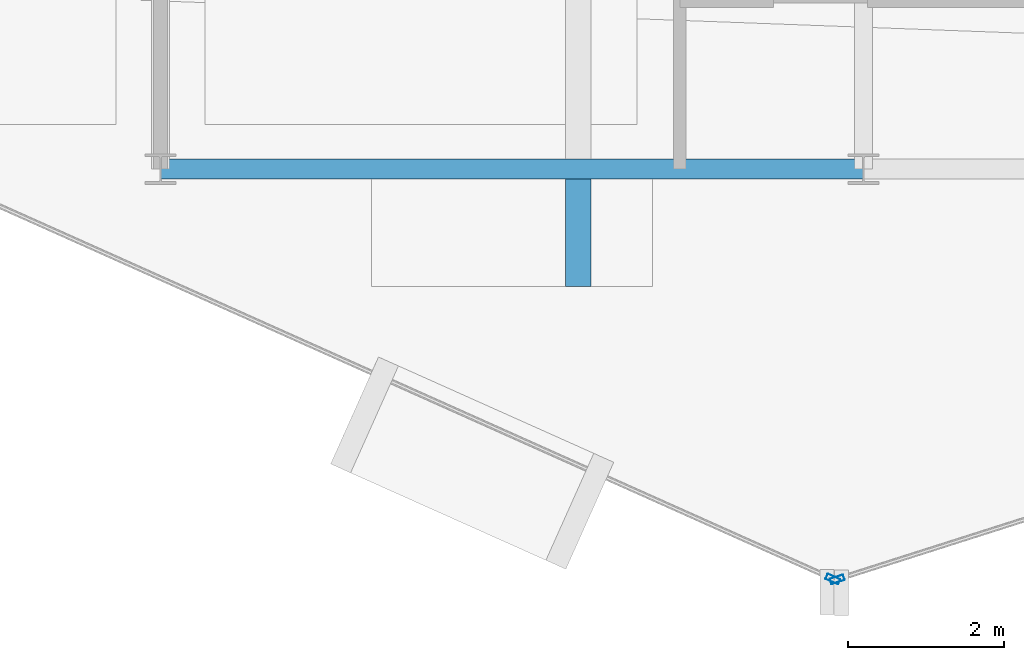
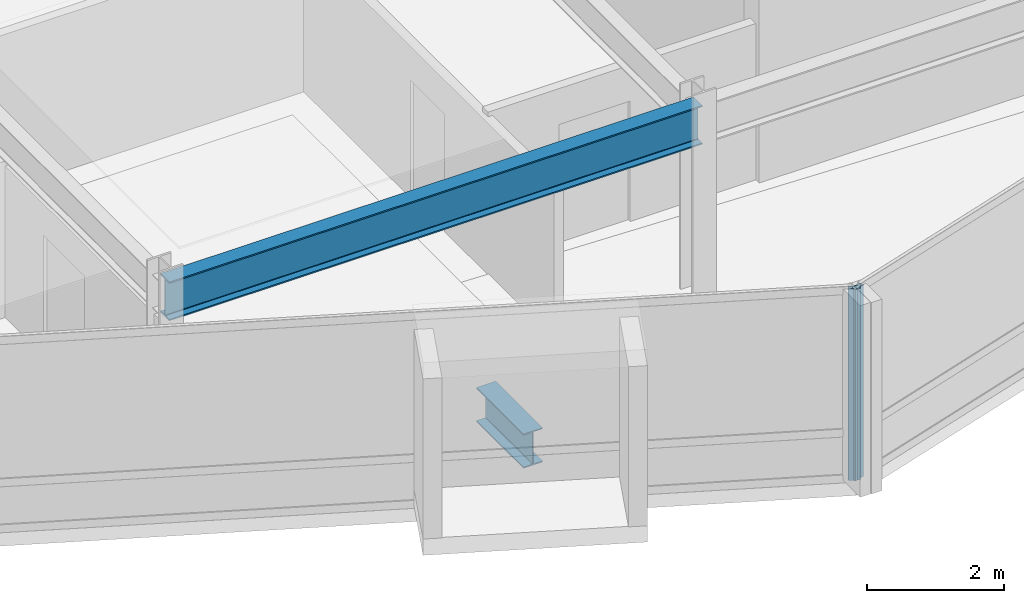
# One storey, part 4 of 19: 2 beams, 2 members, 2 elements without a shape of their own.
"""IFC4 building model written with IfcOpenShell, lengths in metres."""

from ifc_helpers import new_model, si_unit, direction, frame, origin, origin_2d, place, context, subcontext, project, spatial, hollow_rectangle, i_section, extrude, material, layer, layer_set, material_profile, profile_set, type_object, element, aggregate, save


model = new_model("IFC4")

# Units and contexts
model_context = context("Model", 3, precision=1e-05, world=origin(), true_north=direction((0.0, 1.0)))
body_context = subcontext(model_context, "Body", "Model", "MODEL_VIEW")
ifc_project = project(units=[si_unit("LENGTHUNIT", "METRE"), si_unit("AREAUNIT", "SQUARE_METRE"), si_unit("VOLUMEUNIT", "CUBIC_METRE"), si_unit("PLANEANGLEUNIT", "RADIAN"), si_unit("MASSUNIT", "GRAM", prefix="KILO")], contexts=[model_context])

# Site, building, storey
site_placement = place(None, origin())
site = spatial("IfcSite", under=ifc_project, at=site_placement, CompositionType="ELEMENT")
building_placement = place(site_placement, origin())
building = spatial("IfcBuilding", under=site, at=building_placement, Name="Solvaryn Broadcast Tower", CompositionType="ELEMENT")
storey_placement = place(building_placement, frame((0.0, 0.0, 244.5)))
storey = spatial("IfcBuildingStorey", under=building, at=storey_placement, Name="L61", CompositionType="ELEMENT", Elevation=244.5)

# Beams
ifc_material_1 = material(Name="Steel ASTM A992 Grade 50", Category="steel")
ifc_material_profile_1 = material_profile(ifc_material_1, i_section(OverallWidth=0.323974609375, OverallDepth=0.611083984375, WebThickness=0.0126953125, FlangeThickness=0.01904296875, FilletRadius=0.014892578125, at=origin_2d()))
ifc_profile_set_1 = profile_set([ifc_material_profile_1], Name="Steel ASTM A992 Grade 50")
beam_type_1 = type_object("IfcBeamType", Name="BM-CANT-TER", PredefinedType="BEAM", material=ifc_profile_set_1)
beam_1_placement = place(storey_placement, frame((23.35009765625, 8.875, -0.58544921875), z_axis=(0.0, -1.0, 0.0), x_axis=(1.0, 0.0, 0.0)))
element("IfcBeam", 1, at=beam_1_placement, inside=storey, type_object=beam_type_1, Name="L61 Bay-Box Cantilever Bracket 1", PredefinedType="BEAM", context=body_context, shape_type="SweptSolid", body=[
    extrude(i_section(OverallWidth=0.323974609375, OverallDepth=0.611083984375, WebThickness=0.0126953125, FlangeThickness=0.01904296875, FilletRadius=0.014892578125, at=origin_2d()), origin(), (0.0, 0.0, 1.0), 1.375),
])
ifc_material_2 = material(Name="Steel ASTM A992 Grade 50", Category="steel")
ifc_material_profile_2 = material_profile(ifc_material_2, i_section(OverallWidth=0.256103515625, OverallDepth=0.693115234375, WebThickness=0.014404296875, FlangeThickness=0.023681640625, FilletRadius=0.01611328125, at=origin_2d()))
ifc_profile_set_2 = profile_set([ifc_material_profile_2], Name="Steel ASTM A992 Grade 50")
beam_type_2 = type_object("IfcBeamType", Name="BM-SP3-W27X114", PredefinedType="USERDEFINED", material=ifc_profile_set_2)
beam_2_placement = place(storey_placement, frame((18.0, 9.0, 3.073486328125), z_axis=(1.0, 0.0, 0.0), x_axis=(0.0, 1.0, 0.0)))
element("IfcBeam", 2, at=beam_2_placement, inside=storey, type_object=beam_type_2, Name="L61 Spandrel Beam X (18-27 @ Y=9)", ObjectType="SPANDREL", PredefinedType="USERDEFINED", context=body_context, shape_type="SweptSolid", body=[
    extrude(i_section(OverallWidth=0.256103515625, OverallDepth=0.693115234375, WebThickness=0.014404296875, FlangeThickness=0.023681640625, FilletRadius=0.01611328125, at=origin_2d()), origin(), (0.0, 0.0, 1.0), 9.0),
])

# Curtain wall, member
ifc_material_3 = material(Name="Aluminium and Terracotta Unitised Curtain Wall", Category="masonry")
ifc_layer = layer(ifc_material_3, 0.199951171875)
ifc_layer_set = layer_set([ifc_layer], Name="CW-SYS2-LOWMID")
curtain_wall_type = type_object("IfcCurtainWallType", Name="CW-SYS2-LOWMID", PredefinedType="NOTDEFINED", material=ifc_layer_set)
curtain_wall_1_placement = place(storey_placement, origin())
curtain_wall_1 = element("IfcCurtainWall", 3, at=curtain_wall_1_placement, inside=storey, type_object=curtain_wall_type, Name="L61 Curtain Wall DR3", PredefinedType="NOTDEFINED")
ifc_material_4 = material(Name="Anodised Aluminium 6063-T6", Category="aluminium")
ifc_material_profile_3 = material_profile(ifc_material_4, hollow_rectangle(XDim=0.074951171875, YDim=0.179931640625, WallThickness=0.00390625, InnerFilletRadius=0.00390625, OuterFilletRadius=0.008056640625, at=origin_2d()))
ifc_profile_set_3 = profile_set([ifc_material_profile_3], Name="Anodised Aluminium 6063-T6")
member_type = type_object("IfcMemberType", Name="CW-MUL-180", PredefinedType="MULLION", material=ifc_profile_set_3)
member_1_placement = place(storey_placement, frame((26.608642578125, 3.750244140625, 0.0), z_axis=(0.0, 0.0, 1.0), x_axis=(0.408466010682, 0.912773530574, 0.0)))
member_1 = element("IfcMember", 4, at=member_1_placement, type_object=member_type, Name="CWS2 mullion 2", PredefinedType="MULLION", context=body_context, shape_type="SweptSolid", body=[
    extrude(hollow_rectangle(XDim=0.074951171875, YDim=0.179931640625, WallThickness=0.00390625, InnerFilletRadius=0.00390625, OuterFilletRadius=0.008056640625, at=origin_2d()), origin(), (0.0, 0.0, 1.0), 3.419921875),
])
aggregate(curtain_wall_1, [member_1])

curtain_wall_2_placement = place(storey_placement, origin())
curtain_wall_2 = element("IfcCurtainWall", 5, at=curtain_wall_2_placement, inside=storey, type_object=curtain_wall_type, Name="L61 Curtain Wall DR4", PredefinedType="NOTDEFINED")
member_2_placement = place(storey_placement, frame((26.66455078125, 3.7470703125, 0.0), z_axis=(0.0, 0.0, 1.0), x_axis=(-0.30361564569, 0.952794594701, 0.0)))
member_2 = element("IfcMember", 6, at=member_2_placement, type_object=member_type, Name="CWS2 mullion 1", PredefinedType="MULLION", context=body_context, shape_type="SweptSolid", body=[
    extrude(hollow_rectangle(XDim=0.074951171875, YDim=0.179931640625, WallThickness=0.00390625, InnerFilletRadius=0.00390625, OuterFilletRadius=0.008056640625, at=origin_2d()), origin(), (0.0, 0.0, 1.0), 3.419921875),
])
aggregate(curtain_wall_2, [member_2])

save(model, "model.ifc")
